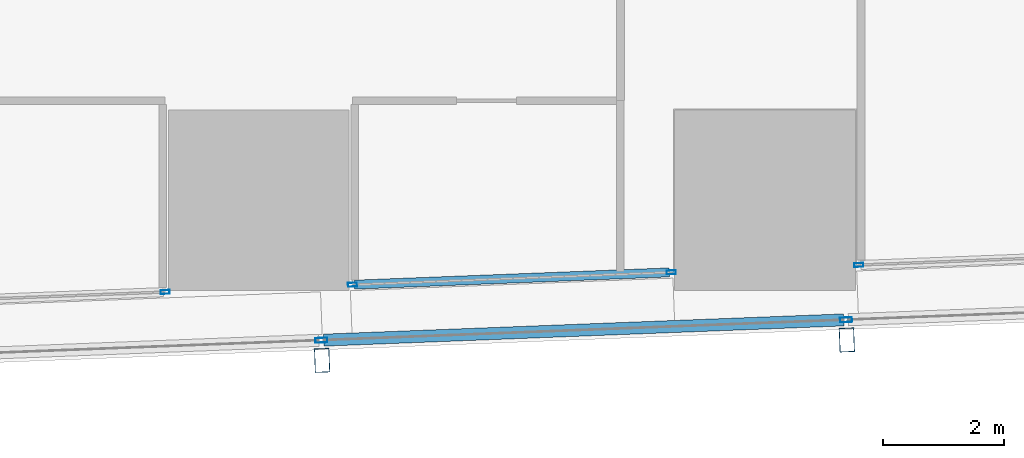
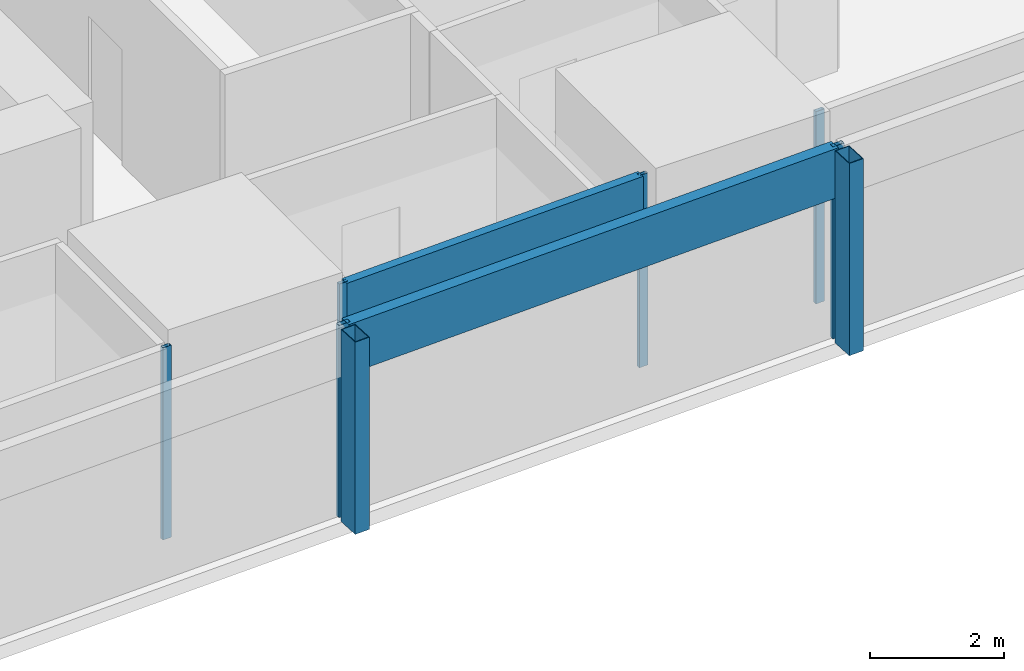
# One storey, part 11 of 39: 10 members, 4 elements without a shape of their own.
"""IFC4 building model written with IfcOpenShell, lengths in metres."""

from ifc_helpers import new_model, si_unit, direction, frame, origin, origin_2d, place, context, subcontext, project, spatial, hollow_rectangle, extrude, material, material_profile, profile_set, type_object, element, aggregate, save


model = new_model("IFC4")

# Units and contexts
model_context = context("Model", 3, precision=1e-05, world=origin(), true_north=direction((0.0, 1.0)))
body_context = subcontext(model_context, "Body", "Model", "MODEL_VIEW")
ifc_project = project(units=[si_unit("LENGTHUNIT", "METRE"), si_unit("AREAUNIT", "SQUARE_METRE"), si_unit("VOLUMEUNIT", "CUBIC_METRE"), si_unit("PLANEANGLEUNIT", "RADIAN"), si_unit("MASSUNIT", "GRAM", prefix="KILO")], contexts=[model_context])

# Site, building, storey
site_placement = place(None, origin())
site = spatial("IfcSite", under=ifc_project, at=site_placement, CompositionType="ELEMENT")
building_placement = place(site_placement, origin())
building = spatial("IfcBuilding", under=site, at=building_placement, Name="Rekha Terrace Tower", CompositionType="ELEMENT")
storey_placement = place(building_placement, frame((0.0, 0.0, 155.300048828125)))
storey = spatial("IfcBuildingStorey", under=building, at=storey_placement, Name="L39", CompositionType="ELEMENT", Elevation=155.300048828125)

# Curtain wall, members
ifc_material_1 = material(Name="Aluminium framing", Category="aluminium")
curtain_wall_type_1 = type_object("IfcCurtainWallType", Name="CW2 double skin outer glazing", PredefinedType="USERDEFINED", material=ifc_material_1)
curtain_wall_1_placement = place(storey_placement, origin())
curtain_wall_1 = element("IfcCurtainWall", 1, at=curtain_wall_1_placement, inside=storey, type_object=curtain_wall_type_1, Name="CW2 double skin outer glazing", ObjectType="DOUBLE SKIN OUTER GLAZING", PredefinedType="USERDEFINED")
ifc_material_2 = material(Name="Steel S355 with fluorocarbon finish", Category="steel")
ifc_material_profile_1 = material_profile(ifc_material_2, hollow_rectangle(XDim=0.25, YDim=0.39990234375, WallThickness=0.012451171875, at=origin_2d()), Name="RHS400x250x12.5")
ifc_profile_set_1 = profile_set([ifc_material_profile_1], Name="Steel S355 with fluorocarbon finish")
member_type_1 = type_object("IfcMemberType", Name="BL1 facade blade RHS 400 x 250", PredefinedType="USERDEFINED", material=ifc_profile_set_1)
member_1_placement = place(storey_placement, frame((51.4521484375, 14.141845703125, 0.0), z_axis=(0.0, 0.0, 1.0), x_axis=(0.999243494356, 0.038890088543, 0.0)))
member_1 = element("IfcMember", 2, at=member_1_placement, type_object=member_type_1, Name="Facade blade", ObjectType="FACADE BLADE", PredefinedType="USERDEFINED", context=body_context, shape_type="SweptSolid", body=[
    extrude(hollow_rectangle(XDim=0.25, YDim=0.39990234375, WallThickness=0.012451171875, at=origin_2d()), origin(), (0.0, 0.0, 1.0), 3.5),
])
member_2_placement = place(storey_placement, frame((60.1572265625, 14.480712890625, 0.0), z_axis=(0.0, 0.0, 1.0), x_axis=(0.999243494356, 0.038890088543, 0.0)))
member_2 = element("IfcMember", 3, at=member_2_placement, type_object=member_type_1, Name="Facade blade", ObjectType="FACADE BLADE", PredefinedType="USERDEFINED", context=body_context, shape_type="SweptSolid", body=[
    extrude(hollow_rectangle(XDim=0.25, YDim=0.39990234375, WallThickness=0.012451171875, at=origin_2d()), origin(), (0.0, 0.0, 1.0), 3.5),
])

# Curtain wall, member
curtain_wall_type_2 = type_object("IfcCurtainWallType", Name="CW1 double skin inner glazing", PredefinedType="USERDEFINED", material=ifc_material_1)
curtain_wall_2_placement = place(storey_placement, origin())
curtain_wall_2 = element("IfcCurtainWall", 4, at=curtain_wall_2_placement, inside=storey, type_object=curtain_wall_type_2, Name="CW1 double skin inner glazing", ObjectType="DOUBLE SKIN INNER GLAZING", PredefinedType="USERDEFINED")
ifc_material_3 = material(Name="Aluminium mullion section", Category="aluminium")
ifc_material_profile_2 = material_profile(ifc_material_3, hollow_rectangle(XDim=0.06494140625, YDim=0.14990234375, WallThickness=0.00390625, at=origin_2d()), Name="AL RHS 65x150")
ifc_profile_set_2 = profile_set([ifc_material_profile_2], Name="Aluminium mullion section")
member_type_2 = type_object("IfcMemberType", Name="CW1 mullion RHS 65 x 150", PredefinedType="MULLION", material=ifc_profile_set_2)
member_3_placement = place(storey_placement, frame((48.848388671875, 15.276611328125, 0.0), z_axis=(0.0, 0.0, 1.0), x_axis=(-0.038889971345, 0.999243498917, 0.0)))
member_3 = element("IfcMember", 5, at=member_3_placement, type_object=member_type_2, Name="CW1 mullion 4", PredefinedType="MULLION", context=body_context, shape_type="SweptSolid", body=[
    extrude(hollow_rectangle(XDim=0.06494140625, YDim=0.14990234375, WallThickness=0.00390625, at=origin_2d()), origin(), (0.0, 0.0, 1.0), 3.5),
])
aggregate(curtain_wall_2, [member_3])

# Curtain wall, members
curtain_wall_3_placement = place(storey_placement, origin())
curtain_wall_3 = element("IfcCurtainWall", 6, at=curtain_wall_3_placement, inside=storey, type_object=curtain_wall_type_2, Name="CW1 double skin inner glazing", ObjectType="DOUBLE SKIN INNER GLAZING", PredefinedType="USERDEFINED")
member_4_placement = place(storey_placement, frame((51.9560546875, 15.3974609375, 0.0), z_axis=(0.0, 0.0, 1.0), x_axis=(-0.038889971328, 0.999243498918, 0.0)))
member_4 = element("IfcMember", 7, at=member_4_placement, type_object=member_type_2, Name="CW1 mullion 1", PredefinedType="MULLION", context=body_context, shape_type="SweptSolid", body=[
    extrude(hollow_rectangle(XDim=0.06494140625, YDim=0.14990234375, WallThickness=0.00390625, at=origin_2d()), origin(), (0.0, 0.0, 1.0), 3.5),
])
member_5_placement = place(storey_placement, frame((57.243896484375, 15.603271484375, 0.0), z_axis=(0.0, 0.0, 1.0), x_axis=(-0.038889971328, 0.999243498918, 0.0)))
member_5 = element("IfcMember", 8, at=member_5_placement, type_object=member_type_2, Name="CW1 mullion 2", PredefinedType="MULLION", context=body_context, shape_type="SweptSolid", body=[
    extrude(hollow_rectangle(XDim=0.06494140625, YDim=0.14990234375, WallThickness=0.00390625, at=origin_2d()), origin(), (0.0, 0.0, 1.0), 3.5),
])

# Curtain wall, member
curtain_wall_4_placement = place(storey_placement, origin())
curtain_wall_4 = element("IfcCurtainWall", 9, at=curtain_wall_4_placement, inside=storey, type_object=curtain_wall_type_2, Name="CW1 double skin inner glazing", ObjectType="DOUBLE SKIN INNER GLAZING", PredefinedType="USERDEFINED")
member_6_placement = place(storey_placement, frame((60.356201171875, 15.724365234375, 0.0), z_axis=(0.0, 0.0, 1.0), x_axis=(-0.038889971328, 0.999243498918, 0.0)))
member_6 = element("IfcMember", 10, at=member_6_placement, type_object=member_type_2, Name="CW1 mullion 1", PredefinedType="MULLION", context=body_context, shape_type="SweptSolid", body=[
    extrude(hollow_rectangle(XDim=0.06494140625, YDim=0.14990234375, WallThickness=0.00390625, at=origin_2d()), origin(), (0.0, 0.0, 1.0), 3.5),
])
aggregate(curtain_wall_4, [member_6])

# Member
ifc_material_4 = material(Name="Insulated aluminium spandrel box", Category="aluminium")
ifc_material_profile_3 = material_profile(ifc_material_4, hollow_rectangle(XDim=0.14990234375, YDim=0.89990234375, WallThickness=0.0029296875, at=origin_2d()), Name="AL SPANDREL BOX 150x900")
ifc_profile_set_3 = profile_set([ifc_material_profile_3], Name="Insulated aluminium spandrel box")
member_type_3 = type_object("IfcMemberType", Name="CW1 spandrel transom 150 x 900", PredefinedType="USERDEFINED", material=ifc_profile_set_3)
member_7_placement = place(storey_placement, frame((51.988525390625, 15.398681640625, 3.050048828125), z_axis=(0.999242778178, 0.038908485683, 0.0), x_axis=(-0.038908485683, 0.999242778178, 0.0)))
member_7 = element("IfcMember", 11, at=member_7_placement, type_object=member_type_3, Name="CW1 spandrel transom 1", ObjectType="TRANSOM", PredefinedType="USERDEFINED", context=body_context, shape_type="SweptSolid", body=[
    extrude(hollow_rectangle(XDim=0.14990234375, YDim=0.89990234375, WallThickness=0.0029296875, at=origin_2d()), origin(), (0.0, 0.0, 1.0), 5.226806640625),
])

aggregate(curtain_wall_3, [member_4, member_5, member_7])

ifc_material_profile_4 = material_profile(ifc_material_3, hollow_rectangle(XDim=0.080078125, YDim=0.199951171875, WallThickness=0.00390625, at=origin_2d()), Name="AL RHS 80x200")
ifc_profile_set_4 = profile_set([ifc_material_profile_4], Name="Aluminium mullion section")
member_type_4 = type_object("IfcMemberType", Name="CW2 mullion RHS 80 x 200", PredefinedType="MULLION", material=ifc_profile_set_4)
member_8_placement = place(storey_placement, frame((51.439208984375, 14.4765625, 0.0), z_axis=(0.0, 0.0, 1.0), x_axis=(-0.038889971345, 0.999243498917, 0.0)))
member_8 = element("IfcMember", 12, at=member_8_placement, type_object=member_type_4, Name="CW2 mullion 4", PredefinedType="MULLION", context=body_context, shape_type="SweptSolid", body=[
    extrude(hollow_rectangle(XDim=0.080078125, YDim=0.199951171875, WallThickness=0.00390625, at=origin_2d()), origin(), (0.0, 0.0, 1.0), 3.5),
])

member_9_placement = place(storey_placement, frame((60.14404296875, 14.8154296875, 0.0), z_axis=(0.0, 0.0, 1.0), x_axis=(-0.038889971345, 0.999243498917, 0.0)))
member_9 = element("IfcMember", 13, at=member_9_placement, type_object=member_type_4, Name="CW2 mullion 5", PredefinedType="MULLION", context=body_context, shape_type="SweptSolid", body=[
    extrude(hollow_rectangle(XDim=0.080078125, YDim=0.199951171875, WallThickness=0.00390625, at=origin_2d()), origin(), (0.0, 0.0, 1.0), 3.5),
])

ifc_material_profile_5 = material_profile(ifc_material_4, hollow_rectangle(XDim=0.199951171875, YDim=0.89990234375, WallThickness=0.0029296875, at=origin_2d()), Name="AL SPANDREL BOX 200x900")
ifc_profile_set_5 = profile_set([ifc_material_profile_5], Name="Insulated aluminium spandrel box")
member_type_5 = type_object("IfcMemberType", Name="CW2 spandrel transom 200 x 900", PredefinedType="USERDEFINED", material=ifc_profile_set_5)
member_10_placement = place(storey_placement, frame((51.47900390625, 14.478271484375, 3.050048828125), z_axis=(0.999243481303, 0.038890423923, 0.0), x_axis=(-0.038890423923, 0.999243481303, 0.0)))
member_10 = element("IfcMember", 14, at=member_10_placement, type_object=member_type_5, Name="CW2 spandrel transom 4", ObjectType="TRANSOM", PredefinedType="USERDEFINED", context=body_context, shape_type="SweptSolid", body=[
    extrude(hollow_rectangle(XDim=0.199951171875, YDim=0.89990234375, WallThickness=0.0029296875, at=origin_2d()), origin(), (0.0, 0.0, 1.0), 8.6318359375),
])

aggregate(curtain_wall_1, [member_8, member_9, member_10, member_1, member_2])

save(model, "model.ifc")
